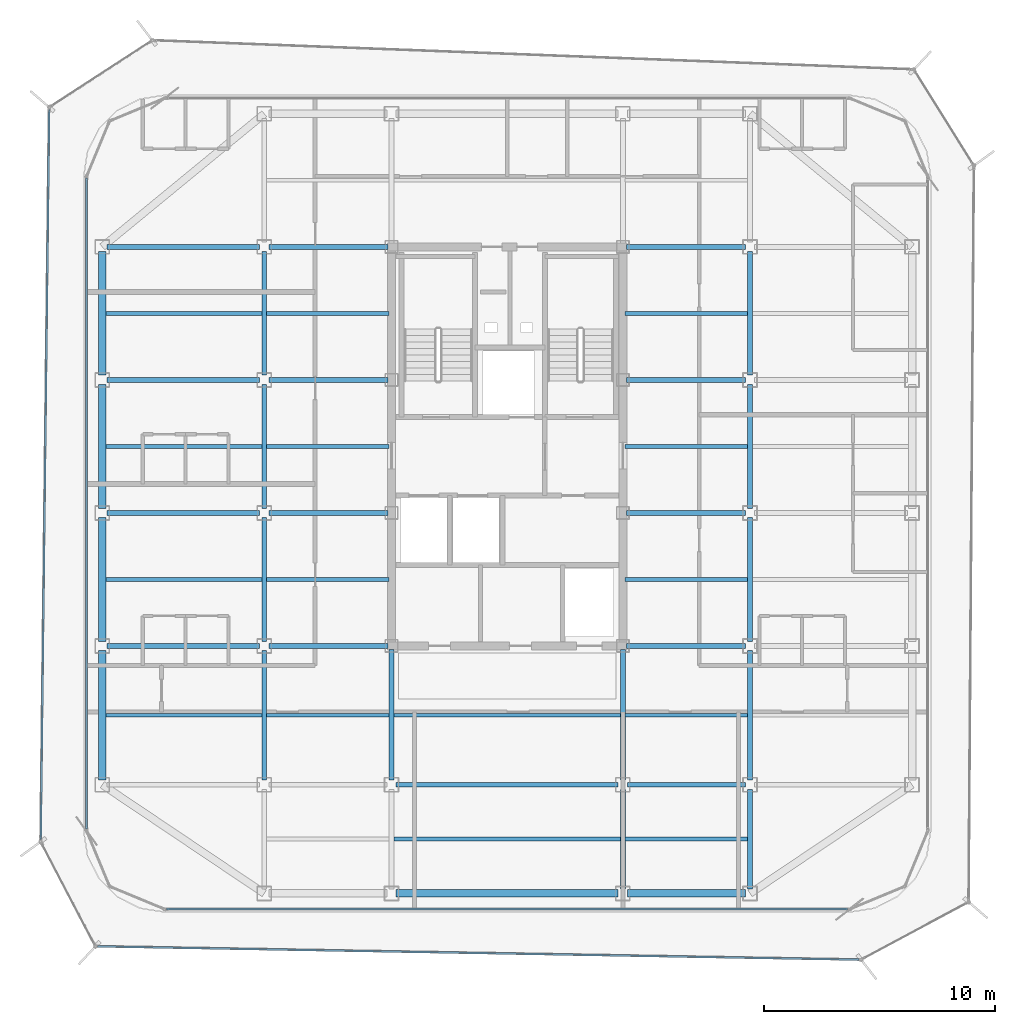
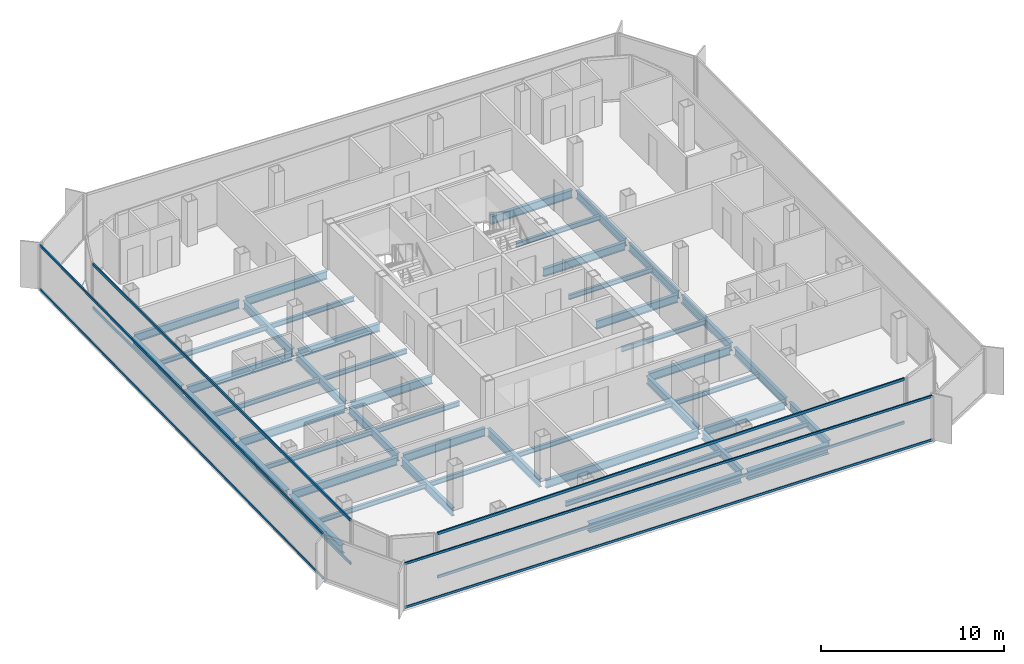
# One storey, part 3 of 15: 47 beams, 8 members, 4 elements without a shape of their own.
"""IFC4 building model written with IfcOpenShell, lengths in metres."""

from ifc_helpers import new_model, si_unit, direction, frame, origin, origin_2d, place, context, subcontext, project, spatial, hollow_rectangle, i_section, extrude, source, transform, mapped, material, layer, layer_set, material_profile, profile_set, type_object, element, aggregate, save


model = new_model("IFC4")

# Units and contexts
model_context = context("Model", 3, precision=1e-05, world=origin(), true_north=direction((0.0, 1.0)))
body_context = subcontext(model_context, "Body", "Model", "MODEL_VIEW")
ifc_project = project(units=[si_unit("LENGTHUNIT", "METRE"), si_unit("AREAUNIT", "SQUARE_METRE"), si_unit("VOLUMEUNIT", "CUBIC_METRE"), si_unit("PLANEANGLEUNIT", "RADIAN"), si_unit("MASSUNIT", "GRAM", prefix="KILO")], contexts=[model_context])

# Site, building, storey
site_placement = place(None, origin())
site = spatial("IfcSite", under=ifc_project, at=site_placement, CompositionType="ELEMENT")
building_placement = place(site_placement, origin())
building = spatial("IfcBuilding", under=site, at=building_placement, Name="Kolveth Station Tower", CompositionType="ELEMENT")
storey_placement = place(building_placement, frame((0.0, 0.0, 229.699951171875)))
storey = spatial("IfcBuildingStorey", under=building, at=storey_placement, Name="L65", CompositionType="ELEMENT", Elevation=229.699951171875)

# Beams
ifc_material_1 = material(Name="Steel S355", Category="steel")
ifc_material_profile_1 = material_profile(ifc_material_1, i_section(OverallWidth=0.323974609375, OverallDepth=0.611083984375, WebThickness=0.0126953125, FlangeThickness=0.01904296875, at=origin_2d()), Name="W610x155")
ifc_profile_set_1 = profile_set([ifc_material_profile_1], Name="Steel S355")
beam_type_1 = type_object("IfcBeamType", Name="Beam_SP2", PredefinedType="SPANDREL", material=ifc_profile_set_1)
shared_shape_1 = source(origin(), body_context, "Body", "SweptSolid", [
    extrude(i_section(OverallWidth=0.323974609375, OverallDepth=0.611083984375, WebThickness=0.0126953125, FlangeThickness=0.01904296875, at=origin_2d()), origin(), (0.0, 0.0, 1.0), 5.10009765625),
])
beam_1_placement = place(storey_placement, frame((28.699951171875, 0.800048828125, -0.525390625), z_axis=(1.0, 0.0, 0.0), x_axis=(0.0, 1.0, 0.0)))
element("IfcBeam", 1, at=beam_1_placement, inside=storey, type_object=beam_type_1, Name="L65 Perimeter Spandrel BM-L65-PS-3", PredefinedType="SPANDREL", context=body_context, shape_type="MappedRepresentation", body=[
    mapped(shared_shape_1, transform((0.0, 0.0, 0.0), x_axis=(1.0, 0.0, 0.0), y_axis=(0.0, 1.0, 0.0), z_axis=(0.0, 0.0, 1.0), scale=1.0)),
])
shared_shape_2 = source(origin(), body_context, "Body", "SweptSolid", [
    extrude(i_section(OverallWidth=0.323974609375, OverallDepth=0.611083984375, WebThickness=0.0126953125, FlangeThickness=0.01904296875, at=origin_2d()), origin(), (0.0, 0.0, 1.0), 9.60009765625),
])
beam_2_placement = place(storey_placement, frame((18.699951171875, 0.800048828125, -0.525390625), z_axis=(1.0, 0.0, 0.0), x_axis=(0.0, 1.0, 0.0)))
element("IfcBeam", 2, at=beam_2_placement, inside=storey, type_object=beam_type_1, Name="L65 Perimeter Spandrel BM-L65-PS-2", PredefinedType="SPANDREL", context=body_context, shape_type="MappedRepresentation", body=[
    mapped(shared_shape_2, transform((0.0, 0.0, 0.0), x_axis=(1.0, 0.0, 0.0), y_axis=(0.0, 1.0, 0.0), z_axis=(0.0, 0.0, 1.0), scale=1.0)),
])
shared_shape_3 = source(origin(), body_context, "Body", "SweptSolid", [
    extrude(i_section(OverallWidth=0.323974609375, OverallDepth=0.611083984375, WebThickness=0.0126953125, FlangeThickness=0.01904296875, at=origin_2d()), origin(), (0.0, 0.0, 1.0), 5.60009765625),
])
beam_3_placement = place(storey_placement, frame((6.0, 5.699951171875, -0.525390625), z_axis=(0.0, 1.0, 0.0), x_axis=(-1.0, 0.0, 0.0)))
element("IfcBeam", 3, at=beam_3_placement, inside=storey, type_object=beam_type_1, Name="L65 Perimeter Spandrel BM-L65-PW-1", PredefinedType="SPANDREL", context=body_context, shape_type="MappedRepresentation", body=[
    mapped(shared_shape_3, transform((0.0, 0.0, 0.0), x_axis=(1.0, 0.0, 0.0), y_axis=(0.0, 1.0, 0.0), z_axis=(0.0, 0.0, 1.0), scale=1.0)),
])
shared_shape_4 = source(origin(), body_context, "Body", "SweptSolid", [
    extrude(i_section(OverallWidth=0.323974609375, OverallDepth=0.611083984375, WebThickness=0.0126953125, FlangeThickness=0.01904296875, at=origin_2d()), origin(), (0.0, 0.0, 1.0), 5.35009765625),
])
for number, where, z_axis, x_axis, name in (
    (4, (6.0, 11.699951171875, -0.525390625), (0.0, 1.0, 0.0), (-1.0, 0.0, 0.0), "L65 Perimeter Spandrel BM-L65-PW-2"),
    (5, (6.0, 17.449951171875, -0.525390625), (0.0, 1.0, 0.0), (-1.0, 0.0, 0.0), "L65 Perimeter Spandrel BM-L65-PW-3"),
    (6, (6.0, 23.199951171875, -0.525390625), (0.0, 1.0, 0.0), (-1.0, 0.0, 0.0), "L65 Perimeter Spandrel BM-L65-PW-4"),
):
    element("IfcBeam", number, at=place(storey_placement, frame(where, z_axis=z_axis, x_axis=x_axis)), inside=storey, type_object=beam_type_1, Name=name, PredefinedType="SPANDREL", context=body_context, shape_type="MappedRepresentation", body=[
        mapped(shared_shape_4, transform((0.0, 0.0, 0.0), x_axis=(1.0, 0.0, 0.0), y_axis=(0.0, 1.0, 0.0), z_axis=(0.0, 0.0, 1.0), scale=1.0)),
    ])
ifc_material_profile_2 = material_profile(ifc_material_1, i_section(OverallWidth=0.2099609375, OverallDepth=0.537109375, WebThickness=0.010986328125, FlangeThickness=0.017333984375, at=origin_2d()), Name="W530x101")
ifc_profile_set_2 = profile_set([ifc_material_profile_2], Name="Steel S355")
beam_type_2 = type_object("IfcBeamType", Name="Beam_B6", PredefinedType="BEAM", material=ifc_profile_set_2)
shared_shape_5 = source(origin(), body_context, "Body", "SweptSolid", [
    extrude(i_section(OverallWidth=0.2099609375, OverallDepth=0.537109375, WebThickness=0.010986328125, FlangeThickness=0.017333984375, at=origin_2d()), origin(), (0.0, 0.0, 1.0), 6.60009765625),
])
for number, where, z_axis, x_axis, name in (
    (7, (6.199951171875, 11.5, -0.488525390625), (1.0, 0.0, 0.0), (0.0, 1.0, 0.0), "L65 Primary Girder BM-L65-GY115-1"),
    (8, (6.199951171875, 17.25, -0.488525390625), (1.0, 0.0, 0.0), (0.0, 1.0, 0.0), "L65 Primary Girder BM-L65-GY172-1"),
    (9, (6.199951171875, 23.0, -0.488525390625), (1.0, 0.0, 0.0), (0.0, 1.0, 0.0), "L65 Primary Girder BM-L65-GY230-1"),
    (10, (6.199951171875, 28.75, -0.488525390625), (1.0, 0.0, 0.0), (0.0, 1.0, 0.0), "L65 Primary Girder BM-L65-GY287-1"),
):
    element("IfcBeam", number, at=place(storey_placement, frame(where, z_axis=z_axis, x_axis=x_axis)), inside=storey, type_object=beam_type_2, Name=name, PredefinedType="BEAM", context=body_context, shape_type="MappedRepresentation", body=[
        mapped(shared_shape_5, transform((0.0, 0.0, 0.0), x_axis=(1.0, 0.0, 0.0), y_axis=(0.0, 1.0, 0.0), z_axis=(0.0, 0.0, 1.0), scale=1.0)),
    ])
shared_shape_6 = source(origin(), body_context, "Body", "SweptSolid", [
    extrude(i_section(OverallWidth=0.2099609375, OverallDepth=0.537109375, WebThickness=0.010986328125, FlangeThickness=0.017333984375, at=origin_2d()), origin(), (0.0, 0.0, 1.0), 5.10009765625),
])
beam_4_placement = place(storey_placement, frame((28.699951171875, 5.5, -0.488525390625), z_axis=(1.0, 0.0, 0.0), x_axis=(0.0, 1.0, 0.0)))
element("IfcBeam", 11, at=beam_4_placement, inside=storey, type_object=beam_type_2, Name="L65 Primary Girder BM-L65-GY55-4", PredefinedType="BEAM", context=body_context, shape_type="MappedRepresentation", body=[
    mapped(shared_shape_6, transform((0.0, 0.0, 0.0), x_axis=(1.0, 0.0, 0.0), y_axis=(0.0, 1.0, 0.0), z_axis=(0.0, 0.0, 1.0), scale=1.0)),
])
shared_shape_7 = source(origin(), body_context, "Body", "SweptSolid", [
    extrude(i_section(OverallWidth=0.2099609375, OverallDepth=0.537109375, WebThickness=0.010986328125, FlangeThickness=0.017333984375, at=origin_2d()), origin(), (0.0, 0.0, 1.0), 9.60009765625),
])
beam_5_placement = place(storey_placement, frame((18.699951171875, 5.5, -0.488525390625), z_axis=(1.0, 0.0, 0.0), x_axis=(0.0, 1.0, 0.0)))
element("IfcBeam", 12, at=beam_5_placement, inside=storey, type_object=beam_type_2, Name="L65 Primary Girder BM-L65-GY55-3", PredefinedType="BEAM", context=body_context, shape_type="MappedRepresentation", body=[
    mapped(shared_shape_7, transform((0.0, 0.0, 0.0), x_axis=(1.0, 0.0, 0.0), y_axis=(0.0, 1.0, 0.0), z_axis=(0.0, 0.0, 1.0), scale=1.0)),
])
shared_shape_8 = source(origin(), body_context, "Body", "SweptSolid", [
    extrude(i_section(OverallWidth=0.2099609375, OverallDepth=0.537109375, WebThickness=0.010986328125, FlangeThickness=0.017333984375, at=origin_2d()), origin(), (0.0, 0.0, 1.0), 5.14013671875),
])
for number, where, z_axis, x_axis, name in (
    (13, (13.199951171875, 11.5, -0.488525390625), (1.0, 0.0, 0.0), (0.0, 1.0, 0.0), "L65 Primary Girder BM-L65-GY115-2"),
    (14, (28.659912109375, 11.5, -0.488525390625), (1.0, 0.0, 0.0), (0.0, 1.0, 0.0), "L65 Primary Girder BM-L65-GY115-4"),
    (15, (13.199951171875, 17.25, -0.488525390625), (1.0, 0.0, 0.0), (0.0, 1.0, 0.0), "L65 Primary Girder BM-L65-GY172-2"),
    (16, (28.659912109375, 17.25, -0.488525390625), (1.0, 0.0, 0.0), (0.0, 1.0, 0.0), "L65 Primary Girder BM-L65-GY172-4"),
    (17, (13.199951171875, 23.0, -0.488525390625), (1.0, 0.0, 0.0), (0.0, 1.0, 0.0), "L65 Primary Girder BM-L65-GY230-2"),
    (18, (28.659912109375, 23.0, -0.488525390625), (1.0, 0.0, 0.0), (0.0, 1.0, 0.0), "L65 Primary Girder BM-L65-GY230-4"),
    (19, (13.199951171875, 28.75, -0.488525390625), (1.0, 0.0, 0.0), (0.0, 1.0, 0.0), "L65 Primary Girder BM-L65-GY287-2"),
    (20, (28.659912109375, 28.75, -0.488525390625), (1.0, 0.0, 0.0), (0.0, 1.0, 0.0), "L65 Primary Girder BM-L65-GY287-4"),
):
    element("IfcBeam", number, at=place(storey_placement, frame(where, z_axis=z_axis, x_axis=x_axis)), inside=storey, type_object=beam_type_2, Name=name, PredefinedType="BEAM", context=body_context, shape_type="MappedRepresentation", body=[
        mapped(shared_shape_8, transform((0.0, 0.0, 0.0), x_axis=(1.0, 0.0, 0.0), y_axis=(0.0, 1.0, 0.0), z_axis=(0.0, 0.0, 1.0), scale=1.0)),
    ])
shared_shape_9 = source(origin(), body_context, "Body", "SweptSolid", [
    extrude(i_section(OverallWidth=0.2099609375, OverallDepth=0.537109375, WebThickness=0.010986328125, FlangeThickness=0.017333984375, at=origin_2d()), origin(), (0.0, 0.0, 1.0), 4.300048828125),
])
for number, where, z_axis, x_axis, name in (
    (21, (28.5, 1.0, -0.488525390625), (0.0, 1.0, 0.0), (-1.0, 0.0, 0.0), "L65 Primary Girder BM-L65-GX285-1"),
    (22, (34.0, 1.0, -0.488525390625), (0.0, 1.0, 0.0), (-1.0, 0.0, 0.0), "L65 Primary Girder BM-L65-GX340-1"),
):
    element("IfcBeam", number, at=place(storey_placement, frame(where, z_axis=z_axis, x_axis=x_axis)), inside=storey, type_object=beam_type_2, Name=name, PredefinedType="BEAM", context=body_context, shape_type="MappedRepresentation", body=[
        mapped(shared_shape_9, transform((0.0, 0.0, 0.0), x_axis=(1.0, 0.0, 0.0), y_axis=(0.0, 1.0, 0.0), z_axis=(0.0, 0.0, 1.0), scale=1.0)),
    ])
shared_shape_10 = source(origin(), body_context, "Body", "SweptSolid", [
    extrude(i_section(OverallWidth=0.2099609375, OverallDepth=0.537109375, WebThickness=0.010986328125, FlangeThickness=0.017333984375, at=origin_2d()), origin(), (0.0, 0.0, 1.0), 5.60009765625),
])
for number, where, z_axis, x_axis, name in (
    (23, (13.0, 5.699951171875, -0.488525390625), (0.0, 1.0, 0.0), (-1.0, 0.0, 0.0), "L65 Primary Girder BM-L65-GX130-2"),
    (24, (34.0, 5.699951171875, -0.488525390625), (0.0, 1.0, 0.0), (-1.0, 0.0, 0.0), "L65 Primary Girder BM-L65-GX340-2"),
):
    element("IfcBeam", number, at=place(storey_placement, frame(where, z_axis=z_axis, x_axis=x_axis)), inside=storey, type_object=beam_type_2, Name=name, PredefinedType="BEAM", context=body_context, shape_type="MappedRepresentation", body=[
        mapped(shared_shape_10, transform((0.0, 0.0, 0.0), x_axis=(1.0, 0.0, 0.0), y_axis=(0.0, 1.0, 0.0), z_axis=(0.0, 0.0, 1.0), scale=1.0)),
    ])
shared_shape_11 = source(origin(), body_context, "Body", "SweptSolid", [
    extrude(i_section(OverallWidth=0.2099609375, OverallDepth=0.537109375, WebThickness=0.010986328125, FlangeThickness=0.017333984375, at=origin_2d()), origin(), (0.0, 0.0, 1.0), 5.35009765625),
])
for number, where, z_axis, x_axis, name in (
    (25, (13.0, 11.699951171875, -0.488525390625), (0.0, 1.0, 0.0), (-1.0, 0.0, 0.0), "L65 Primary Girder BM-L65-GX130-3"),
    (26, (13.0, 17.449951171875, -0.488525390625), (0.0, 1.0, 0.0), (-1.0, 0.0, 0.0), "L65 Primary Girder BM-L65-GX130-4"),
    (27, (13.0, 23.199951171875, -0.488525390625), (0.0, 1.0, 0.0), (-1.0, 0.0, 0.0), "L65 Primary Girder BM-L65-GX130-5"),
    (28, (34.0, 11.699951171875, -0.488525390625), (0.0, 1.0, 0.0), (-1.0, 0.0, 0.0), "L65 Primary Girder BM-L65-GX340-3"),
    (29, (34.0, 17.449951171875, -0.488525390625), (0.0, 1.0, 0.0), (-1.0, 0.0, 0.0), "L65 Primary Girder BM-L65-GX340-4"),
    (30, (34.0, 23.199951171875, -0.488525390625), (0.0, 1.0, 0.0), (-1.0, 0.0, 0.0), "L65 Primary Girder BM-L65-GX340-5"),
):
    element("IfcBeam", number, at=place(storey_placement, frame(where, z_axis=z_axis, x_axis=x_axis)), inside=storey, type_object=beam_type_2, Name=name, PredefinedType="BEAM", context=body_context, shape_type="MappedRepresentation", body=[
        mapped(shared_shape_11, transform((0.0, 0.0, 0.0), x_axis=(1.0, 0.0, 0.0), y_axis=(0.0, 1.0, 0.0), z_axis=(0.0, 0.0, 1.0), scale=1.0)),
    ])
shared_shape_12 = source(origin(), body_context, "Body", "SweptSolid", [
    extrude(i_section(OverallWidth=0.2099609375, OverallDepth=0.537109375, WebThickness=0.010986328125, FlangeThickness=0.017333984375, at=origin_2d()), origin(), (0.0, 0.0, 1.0), 5.64013671875),
])
for number, where, z_axis, x_axis, name in (
    (31, (18.5, 5.699951171875, -0.488525390625), (0.0, 1.0, 0.0), (-1.0, 0.0, 0.0), "L65 Primary Girder BM-L65-GX185-2"),
    (32, (28.5, 5.699951171875, -0.488525390625), (0.0, 1.0, 0.0), (-1.0, 0.0, 0.0), "L65 Primary Girder BM-L65-GX285-2"),
):
    element("IfcBeam", number, at=place(storey_placement, frame(where, z_axis=z_axis, x_axis=x_axis)), inside=storey, type_object=beam_type_2, Name=name, PredefinedType="BEAM", context=body_context, shape_type="MappedRepresentation", body=[
        mapped(shared_shape_12, transform((0.0, 0.0, 0.0), x_axis=(1.0, 0.0, 0.0), y_axis=(0.0, 1.0, 0.0), z_axis=(0.0, 0.0, 1.0), scale=1.0)),
    ])
ifc_material_profile_3 = material_profile(ifc_material_1, i_section(OverallWidth=0.1650390625, OverallDepth=0.31005859375, WebThickness=0.005859375, FlangeThickness=0.009765625, at=origin_2d()), Name="W310x39")
ifc_profile_set_3 = profile_set([ifc_material_profile_3], Name="Steel S355")
beam_type_3 = type_object("IfcBeamType", Name="Beam_J3", PredefinedType="JOIST", material=ifc_profile_set_3)
shared_shape_13 = source(origin(), body_context, "Body", "SweptSolid", [
    extrude(i_section(OverallWidth=0.1650390625, OverallDepth=0.31005859375, WebThickness=0.005859375, FlangeThickness=0.009765625, at=origin_2d()), origin(), (0.0, 0.0, 1.0), 6.737060546875),
])
for number, where, z_axis, x_axis, name in (
    (33, (6.159912109375, 8.5, -0.375), (1.0, 0.0, 0.0), (0.0, 1.0, 0.0), "L65 Secondary Joist JST-L65-1-2"),
    (34, (6.159912109375, 14.375, -0.375), (1.0, 0.0, 0.0), (0.0, 1.0, 0.0), "L65 Secondary Joist JST-L65-1-3"),
    (35, (6.159912109375, 20.125, -0.375), (1.0, 0.0, 0.0), (0.0, 1.0, 0.0), "L65 Secondary Joist JST-L65-1-4"),
    (36, (6.159912109375, 25.875, -0.375), (1.0, 0.0, 0.0), (0.0, 1.0, 0.0), "L65 Secondary Joist JST-L65-1-5"),
):
    element("IfcBeam", number, at=place(storey_placement, frame(where, z_axis=z_axis, x_axis=x_axis)), inside=storey, type_object=beam_type_3, Name=name, PredefinedType="JOIST", context=body_context, shape_type="MappedRepresentation", body=[
        mapped(shared_shape_13, transform((0.0, 0.0, 0.0), x_axis=(1.0, 0.0, 0.0), y_axis=(0.0, 1.0, 0.0), z_axis=(0.0, 0.0, 1.0), scale=1.0)),
    ])
shared_shape_14 = source(origin(), body_context, "Body", "SweptSolid", [
    extrude(i_section(OverallWidth=0.1650390625, OverallDepth=0.31005859375, WebThickness=0.005859375, FlangeThickness=0.009765625, at=origin_2d()), origin(), (0.0, 0.0, 1.0), 5.2939453125),
])
for number, where, z_axis, x_axis, name in (
    (37, (13.10302734375, 8.5, -0.375), (1.0, 0.0, 0.0), (0.0, 1.0, 0.0), "L65 Secondary Joist JST-L65-2-2"),
    (38, (13.10302734375, 14.375, -0.375), (1.0, 0.0, 0.0), (0.0, 1.0, 0.0), "L65 Secondary Joist JST-L65-2-3"),
    (39, (13.10302734375, 20.125, -0.375), (1.0, 0.0, 0.0), (0.0, 1.0, 0.0), "L65 Secondary Joist JST-L65-2-4"),
    (40, (13.10302734375, 25.875, -0.375), (1.0, 0.0, 0.0), (0.0, 1.0, 0.0), "L65 Secondary Joist JST-L65-2-5"),
    (41, (28.60302734375, 3.14990234375, -0.375), (1.0, 0.0, 0.0), (0.0, 1.0, 0.0), "L65 Secondary Joist JST-L65-4-1"),
    (42, (28.60302734375, 8.5, -0.375), (1.0, 0.0, 0.0), (0.0, 1.0, 0.0), "L65 Secondary Joist JST-L65-4-2"),
    (43, (28.60302734375, 14.375, -0.375), (1.0, 0.0, 0.0), (0.0, 1.0, 0.0), "L65 Secondary Joist JST-L65-4-3"),
    (44, (28.60302734375, 20.125, -0.375), (1.0, 0.0, 0.0), (0.0, 1.0, 0.0), "L65 Secondary Joist JST-L65-4-4"),
    (45, (28.60302734375, 25.875, -0.375), (1.0, 0.0, 0.0), (0.0, 1.0, 0.0), "L65 Secondary Joist JST-L65-4-5"),
):
    element("IfcBeam", number, at=place(storey_placement, frame(where, z_axis=z_axis, x_axis=x_axis)), inside=storey, type_object=beam_type_3, Name=name, PredefinedType="JOIST", context=body_context, shape_type="MappedRepresentation", body=[
        mapped(shared_shape_14, transform((0.0, 0.0, 0.0), x_axis=(1.0, 0.0, 0.0), y_axis=(0.0, 1.0, 0.0), z_axis=(0.0, 0.0, 1.0), scale=1.0)),
    ])
shared_shape_15 = source(origin(), body_context, "Body", "SweptSolid", [
    extrude(i_section(OverallWidth=0.1650390625, OverallDepth=0.31005859375, WebThickness=0.005859375, FlangeThickness=0.009765625, at=origin_2d()), origin(), (0.0, 0.0, 1.0), 9.7939453125),
])
for number, where, z_axis, x_axis, name in (
    (46, (18.60302734375, 3.14990234375, -0.375), (1.0, 0.0, 0.0), (0.0, 1.0, 0.0), "L65 Secondary Joist JST-L65-3-1"),
    (47, (18.60302734375, 8.5, -0.375), (1.0, 0.0, 0.0), (0.0, 1.0, 0.0), "L65 Secondary Joist JST-L65-3-2"),
):
    element("IfcBeam", number, at=place(storey_placement, frame(where, z_axis=z_axis, x_axis=x_axis)), inside=storey, type_object=beam_type_3, Name=name, PredefinedType="JOIST", context=body_context, shape_type="MappedRepresentation", body=[
        mapped(shared_shape_15, transform((0.0, 0.0, 0.0), x_axis=(1.0, 0.0, 0.0), y_axis=(0.0, 1.0, 0.0), z_axis=(0.0, 0.0, 1.0), scale=1.0)),
    ])

# Curtain wall, members
ifc_material_2 = material(Name="Aluminium 6063-T6 and triple low-E dark glass", Category="aluminium")
ifc_layer_1 = layer(ifc_material_2, 0.199951171875)
ifc_layer_set_1 = layer_set([ifc_layer_1], Name="Aluminium 6063-T6 and triple low-E dark glass")
curtain_wall_type_1 = type_object("IfcCurtainWallType", Name="CurtainWall_CW-Z3", PredefinedType="NOTDEFINED", material=ifc_layer_set_1)
curtain_wall_1_placement = place(storey_placement, origin())
curtain_wall_1 = element("IfcCurtainWall", 48, at=curtain_wall_1_placement, inside=storey, type_object=curtain_wall_type_1, Name="L65 Inner Thermal Curtain Wall 9", PredefinedType="NOTDEFINED")
ifc_material_3 = material(Name="Black anodized aluminium 6063-T6", Category="aluminium")
ifc_material_profile_4 = material_profile(ifc_material_3, hollow_rectangle(XDim=0.0849609375, YDim=0.179931640625, WallThickness=0.0048828125, at=origin_2d()), Name="ALU-85x180x5")
ifc_profile_set_4 = profile_set([ifc_material_profile_4], Name="Black anodized aluminium 6063-T6")
member_type_1 = type_object("IfcMemberType", Name="Transom_TR3", PredefinedType="USERDEFINED", material=ifc_profile_set_4)
shared_shape_16 = source(origin(), body_context, "Body", "SweptSolid", [
    extrude(hollow_rectangle(XDim=0.0849609375, YDim=0.179931640625, WallThickness=0.0048828125, at=origin_2d()), origin(), (0.0, 0.0, 1.0), 28.130126953125),
])
member_1_placement = place(storey_placement, frame((5.320068359375, 31.715087890625, 0.04248046875), z_axis=(0.0, -1.0, 0.0), x_axis=(1.0, 0.0, 0.0)))
member_1 = element("IfcMember", 49, at=member_1_placement, type_object=member_type_1, Name="CW-Z3 transom 1.1", ObjectType="TRANSOM", PredefinedType="USERDEFINED", context=body_context, shape_type="MappedRepresentation", body=[
    mapped(shared_shape_16, transform((0.0, 0.0, 0.0), x_axis=(1.0, 0.0, 0.0), y_axis=(0.0, 1.0, 0.0), z_axis=(0.0, 0.0, 1.0), scale=1.0)),
])
member_2_placement = place(storey_placement, frame((5.320068359375, 31.715087890625, 2.9375), z_axis=(0.0, -1.0, 0.0), x_axis=(1.0, 0.0, 0.0)))
member_2 = element("IfcMember", 50, at=member_2_placement, type_object=member_type_1, Name="CW-Z3 transom 1.2", ObjectType="TRANSOM", PredefinedType="USERDEFINED", context=body_context, shape_type="MappedRepresentation", body=[
    mapped(shared_shape_16, transform((0.0, 0.0, 0.0), x_axis=(1.0, 0.0, 0.0), y_axis=(0.0, 1.0, 0.0), z_axis=(0.0, 0.0, 1.0), scale=1.0)),
])
aggregate(curtain_wall_1, [member_1, member_2])

curtain_wall_2_placement = place(storey_placement, origin())
curtain_wall_2 = element("IfcCurtainWall", 51, at=curtain_wall_2_placement, inside=storey, type_object=curtain_wall_type_1, Name="L65 Inner Thermal Curtain Wall 12", PredefinedType="NOTDEFINED")
shared_shape_17 = source(origin(), body_context, "Body", "SweptSolid", [
    extrude(hollow_rectangle(XDim=0.0849609375, YDim=0.179931640625, WallThickness=0.0048828125, at=origin_2d()), origin(), (0.0, 0.0, 1.0), 29.43017578125),
])
member_3_placement = place(storey_placement, frame((8.784912109375, 0.1201171875, 0.04248046875), z_axis=(1.0, 0.0, 0.0), x_axis=(0.0, 1.0, 0.0)))
member_3 = element("IfcMember", 52, at=member_3_placement, type_object=member_type_1, Name="CW-Z3 transom 1.1", ObjectType="TRANSOM", PredefinedType="USERDEFINED", context=body_context, shape_type="MappedRepresentation", body=[
    mapped(shared_shape_17, transform((0.0, 0.0, 0.0), x_axis=(1.0, 0.0, 0.0), y_axis=(0.0, 1.0, 0.0), z_axis=(0.0, 0.0, 1.0), scale=1.0)),
])
member_4_placement = place(storey_placement, frame((8.784912109375, 0.1201171875, 2.9375), z_axis=(1.0, 0.0, 0.0), x_axis=(0.0, 1.0, 0.0)))
member_4 = element("IfcMember", 53, at=member_4_placement, type_object=member_type_1, Name="CW-Z3 transom 1.2", ObjectType="TRANSOM", PredefinedType="USERDEFINED", context=body_context, shape_type="MappedRepresentation", body=[
    mapped(shared_shape_17, transform((0.0, 0.0, 0.0), x_axis=(1.0, 0.0, 0.0), y_axis=(0.0, 1.0, 0.0), z_axis=(0.0, 0.0, 1.0), scale=1.0)),
])
aggregate(curtain_wall_2, [member_3, member_4])

ifc_material_4 = material(Name="Black anodized aluminium 6063-T6 and dark solar glass", Category="aluminium")
ifc_layer_2 = layer(ifc_material_4, 0.159912109375)
ifc_layer_set_2 = layer_set([ifc_layer_2], Name="Black anodized aluminium 6063-T6 and dark solar glass")
curtain_wall_type_2 = type_object("IfcCurtainWallType", Name="OUTER SKIN CW-OS", PredefinedType="NOTDEFINED", material=ifc_layer_set_2)
curtain_wall_3_placement = place(storey_placement, origin())
curtain_wall_3 = element("IfcCurtainWall", 54, at=curtain_wall_3_placement, inside=storey, type_object=curtain_wall_type_2, Name="L65 Outer Ventilated Skin Curtain Wall 6", PredefinedType="NOTDEFINED")
ifc_material_profile_5 = material_profile(ifc_material_3, hollow_rectangle(XDim=0.080078125, YDim=0.14990234375, WallThickness=0.0048828125, at=origin_2d()), Name="ALU-80x150x5")
ifc_profile_set_5 = profile_set([ifc_material_profile_5], Name="Black anodized aluminium 6063-T6")
member_type_2 = type_object("IfcMemberType", Name="Transom_TR-OS", PredefinedType="USERDEFINED", material=ifc_profile_set_5)
shared_shape_18 = source(origin(), body_context, "Body", "SweptSolid", [
    extrude(hollow_rectangle(XDim=0.080078125, YDim=0.14990234375, WallThickness=0.0048828125, at=origin_2d()), origin(), (0.0, 0.0, 1.0), 31.56494140625),
])
member_5_placement = place(storey_placement, frame((3.704345703125, 34.691650390625, 0.0400390625), z_axis=(-0.011555450924, -0.999933233548, 0.0), x_axis=(0.999933233548, -0.011555450924, 0.0)))
member_5 = element("IfcMember", 55, at=member_5_placement, type_object=member_type_2, Name="CW-OS transom 1.1", ObjectType="TRANSOM", PredefinedType="USERDEFINED", context=body_context, shape_type="MappedRepresentation", body=[
    mapped(shared_shape_18, transform((0.0, 0.0, 0.0), x_axis=(1.0, 0.0, 0.0), y_axis=(0.0, 1.0, 0.0), z_axis=(0.0, 0.0, 1.0), scale=1.0)),
])
member_6_placement = place(storey_placement, frame((3.704345703125, 34.691650390625, 2.949951171875), z_axis=(-0.011555450924, -0.999933233548, 0.0), x_axis=(0.999933233548, -0.011555450924, 0.0)))
member_6 = element("IfcMember", 56, at=member_6_placement, type_object=member_type_2, Name="CW-OS transom 1.2", ObjectType="TRANSOM", PredefinedType="USERDEFINED", context=body_context, shape_type="MappedRepresentation", body=[
    mapped(shared_shape_18, transform((0.0, 0.0, 0.0), x_axis=(1.0, 0.0, 0.0), y_axis=(0.0, 1.0, 0.0), z_axis=(0.0, 0.0, 1.0), scale=1.0)),
])
aggregate(curtain_wall_3, [member_5, member_6])

curtain_wall_4_placement = place(storey_placement, origin())
curtain_wall_4 = element("IfcCurtainWall", 57, at=curtain_wall_4_placement, inside=storey, type_object=curtain_wall_type_2, Name="L65 Outer Ventilated Skin Curtain Wall 8", PredefinedType="NOTDEFINED")
shared_shape_19 = source(origin(), body_context, "Body", "SweptSolid", [
    extrude(hollow_rectangle(XDim=0.080078125, YDim=0.14990234375, WallThickness=0.0048828125, at=origin_2d()), origin(), (0.0, 0.0, 1.0), 32.920654296875),
])
member_7_placement = place(storey_placement, frame((5.79541015625, -1.487060546875, 0.0400390625), z_axis=(0.999847089801, -0.017487052838, 0.0), x_axis=(0.017487052838, 0.999847089801, 0.0)))
member_7 = element("IfcMember", 58, at=member_7_placement, type_object=member_type_2, Name="CW-OS transom 1.1", ObjectType="TRANSOM", PredefinedType="USERDEFINED", context=body_context, shape_type="MappedRepresentation", body=[
    mapped(shared_shape_19, transform((0.0, 0.0, 0.0), x_axis=(1.0, 0.0, 0.0), y_axis=(0.0, 1.0, 0.0), z_axis=(0.0, 0.0, 1.0), scale=1.0)),
])
member_8_placement = place(storey_placement, frame((5.79541015625, -1.487060546875, 2.949951171875), z_axis=(0.999847089801, -0.017487052838, 0.0), x_axis=(0.017487052838, 0.999847089801, 0.0)))
member_8 = element("IfcMember", 59, at=member_8_placement, type_object=member_type_2, Name="CW-OS transom 1.2", ObjectType="TRANSOM", PredefinedType="USERDEFINED", context=body_context, shape_type="MappedRepresentation", body=[
    mapped(shared_shape_19, transform((0.0, 0.0, 0.0), x_axis=(1.0, 0.0, 0.0), y_axis=(0.0, 1.0, 0.0), z_axis=(0.0, 0.0, 1.0), scale=1.0)),
])
aggregate(curtain_wall_4, [member_7, member_8])

save(model, "model.ifc")
